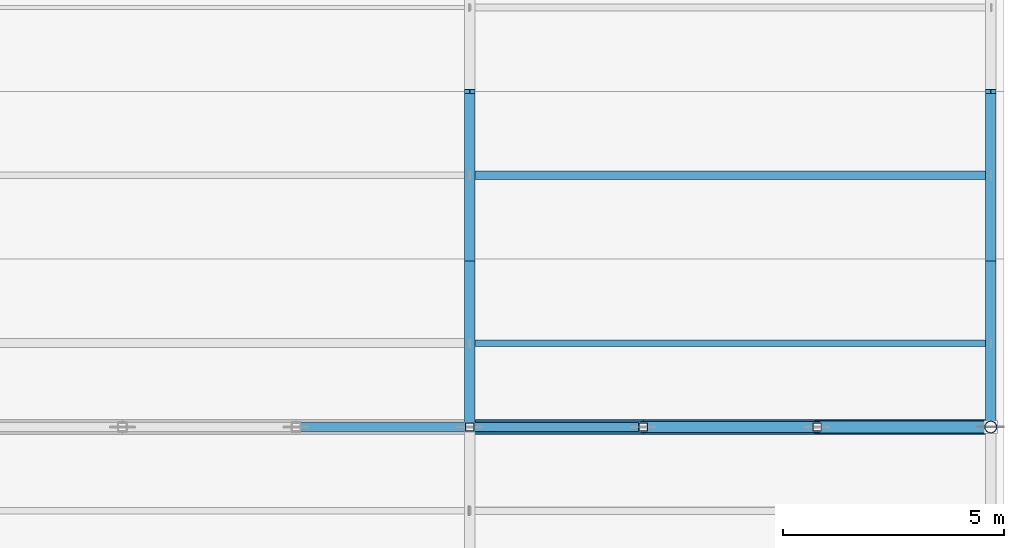
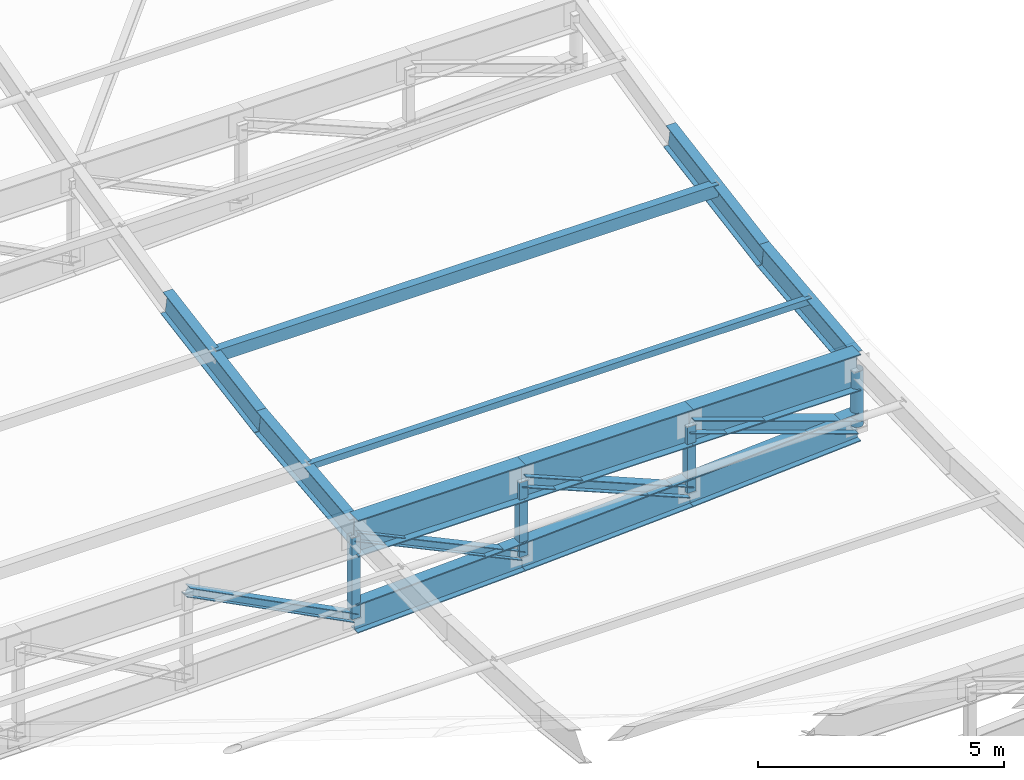
# One storey, part 18 of 65: 14 members, 6 beams.
"""IFC4 building model written with IfcOpenShell, lengths in metres."""

from ifc_helpers import new_model, si_unit, direction, frame, origin, origin_2d, place, context, subcontext, project, spatial, hollow_rectangle, hollow_circle, i_section, extrude, material, material_profile, profile_set, type_object, element, save


model = new_model("IFC4")

# Units and contexts
model_context = context("Model", 3, precision=1e-05, world=origin(), true_north=direction((0.0, 1.0)))
body_context = subcontext(model_context, "Body", "Model", "MODEL_VIEW")
ifc_project = project(units=[si_unit("LENGTHUNIT", "METRE"), si_unit("AREAUNIT", "SQUARE_METRE"), si_unit("VOLUMEUNIT", "CUBIC_METRE"), si_unit("PLANEANGLEUNIT", "RADIAN"), si_unit("MASSUNIT", "GRAM", prefix="KILO"), si_unit("POWERUNIT", "WATT"), si_unit("THERMODYNAMICTEMPERATUREUNIT", "KELVIN")], contexts=[model_context])

# Site, building, storey
site_placement = place(None, origin())
site = spatial("IfcSite", under=ifc_project, at=site_placement, CompositionType="ELEMENT")
building_placement = place(site_placement, origin())
building = spatial("IfcBuilding", under=site, at=building_placement, Name="Kelmbourne Parkland Aquatics Centre", CompositionType="ELEMENT")
storey_placement = place(building_placement, frame((0.0, 0.0, 27.0)))
storey = spatial("IfcBuildingStorey", under=building, at=storey_placement, Name="RF", CompositionType="ELEMENT", Elevation=27.0)

# Members
ifc_material_1 = material(Name="Structural steel AS/NZS 3679.1 Grade 300", Category="steel")
ifc_material_profile_1 = material_profile(ifc_material_1, i_section(OverallWidth=0.306884765625, OverallDepth=0.31494140625, WebThickness=0.011962890625, FlangeThickness=0.018798828125, at=origin_2d()), Name="310UC118")
ifc_profile_set_1 = profile_set([ifc_material_profile_1], Name="Structural steel AS/NZS 3679.1 Grade 300")
member_type_1 = type_object("IfcMemberType", Name="MB-DIAG1", PredefinedType="STRUT", material=ifc_profile_set_1)
member_1_placement = place(storey_placement, frame((171.2666015625, 57.800048828125, -12.883544921875), z_axis=(0.94359966112, 0.0, -0.331088627913), x_axis=(0.0, 1.0, 0.0)))
element("IfcMember", 1, at=member_1_placement, inside=storey, type_object=member_type_1, Name="Roof truss R05 web diagonal 12", PredefinedType="STRUT", context=body_context, shape_type="SweptSolid", body=[
    extrude(i_section(OverallWidth=0.306884765625, OverallDepth=0.31494140625, WebThickness=0.011962890625, FlangeThickness=0.018798828125, at=origin_2d()), origin(), (0.0, 0.0, 1.0), 4.16845703125),
])
ifc_material_profile_2 = material_profile(ifc_material_1, i_section(OverallWidth=0.256103515625, OverallDepth=0.260009765625, WebThickness=0.010498046875, FlangeThickness=0.017333984375, at=origin_2d()), Name="250UC89.5")
ifc_profile_set_2 = profile_set([ifc_material_profile_2], Name="Structural steel AS/NZS 3679.1 Grade 300")
member_type_2 = type_object("IfcMemberType", Name="MB-DIAG2", PredefinedType="STRUT", material=ifc_profile_set_2)
member_2_placement = place(storey_placement, frame((167.333251953125, 57.800048828125, -12.883544921875), z_axis=(0.923014195881, 0.0, -0.384765895322), x_axis=(0.0, 1.0, 0.0)))
element("IfcMember", 2, at=member_2_placement, inside=storey, type_object=member_type_2, Name="Roof truss R05 web diagonal 11", PredefinedType="STRUT", context=body_context, shape_type="SweptSolid", body=[
    extrude(i_section(OverallWidth=0.256103515625, OverallDepth=0.260009765625, WebThickness=0.010498046875, FlangeThickness=0.017333984375, at=origin_2d()), origin(), (0.0, 0.0, 1.0), 4.261474609375),
])
ifc_material_profile_3 = material_profile(ifc_material_1, i_section(OverallWidth=0.205078125, OverallDepth=0.2099609375, WebThickness=0.00927734375, FlangeThickness=0.01416015625, at=origin_2d()), Name="200UC59.5")
ifc_profile_set_3 = profile_set([ifc_material_profile_3], Name="Structural steel AS/NZS 3679.1 Grade 300")
member_type_3 = type_object("IfcMemberType", Name="MB-DIAG3", PredefinedType="STRUT", material=ifc_profile_set_3)
member_3_placement = place(storey_placement, frame((159.466796875, 57.800048828125, -12.883544921875), z_axis=(0.889762254621, 0.0, -0.456424287535), x_axis=(0.0, 1.0, 0.0)))
element("IfcMember", 3, at=member_3_placement, inside=storey, type_object=member_type_3, Name="Roof truss R05 web diagonal 9", PredefinedType="STRUT", context=body_context, shape_type="SweptSolid", body=[
    extrude(i_section(OverallWidth=0.205078125, OverallDepth=0.2099609375, WebThickness=0.00927734375, FlangeThickness=0.01416015625, at=origin_2d()), origin(), (0.0, 0.0, 1.0), 4.42041015625),
])
member_4_placement = place(storey_placement, frame((163.39990234375, 57.800048828125, -12.883544921875), z_axis=(0.904702860314, 0.0, -0.426043113475), x_axis=(0.0, 1.0, 0.0)))
element("IfcMember", 4, at=member_4_placement, inside=storey, type_object=member_type_3, Name="Roof truss R05 web diagonal 10", PredefinedType="STRUT", context=body_context, shape_type="SweptSolid", body=[
    extrude(i_section(OverallWidth=0.205078125, OverallDepth=0.2099609375, WebThickness=0.00927734375, FlangeThickness=0.01416015625, at=origin_2d()), origin(), (0.0, 0.0, 1.0), 4.34765625),
])
ifc_material_profile_4 = material_profile(ifc_material_1, i_section(OverallWidth=0.22900390625, OverallDepth=0.612060546875, WebThickness=0.011962890625, FlangeThickness=0.01953125, at=origin_2d()), Name="610UB125")
ifc_profile_set_4 = profile_set([ifc_material_profile_4], Name="Structural steel AS/NZS 3679.1 Grade 300")
member_type_4 = type_object("IfcMemberType", Name="MB-LRIB", PredefinedType="STRUT", material=ifc_profile_set_4)
member_5_placement = place(storey_placement, frame((163.39990234375, 57.800048828125, -12.763671875), z_axis=(0.0, 0.994394631205, 0.105732291336), x_axis=(-1.0, 0.0, 0.0)))
element("IfcMember", 5, at=member_5_placement, inside=storey, type_object=member_type_4, Name="Longitudinal wave rib K9 strip 16", PredefinedType="STRUT", context=body_context, shape_type="SweptSolid", body=[
    extrude(i_section(OverallWidth=0.22900390625, OverallDepth=0.612060546875, WebThickness=0.011962890625, FlangeThickness=0.01953125, at=origin_2d()), origin(), (0.0, 0.0, 1.0), 3.821533203125),
])
member_6_placement = place(storey_placement, frame((163.39990234375, 61.60009765625, -12.359619140625), z_axis=(0.0, 0.985411823196, 0.170186775941), x_axis=(-1.0, 0.0, 0.0)))
element("IfcMember", 6, at=member_6_placement, inside=storey, type_object=member_type_4, Name="Longitudinal wave rib K9 strip 17", PredefinedType="STRUT", context=body_context, shape_type="SweptSolid", body=[
    extrude(i_section(OverallWidth=0.22900390625, OverallDepth=0.612060546875, WebThickness=0.011962890625, FlangeThickness=0.01953125, at=origin_2d()), origin(), (0.0, 0.0, 1.0), 3.85595703125),
])
member_7_placement = place(storey_placement, frame((175.199951171875, 57.800048828125, -12.763671875), z_axis=(0.0, 0.994394631205, 0.105732291336), x_axis=(-1.0, 0.0, 0.0)))
element("IfcMember", 7, at=member_7_placement, inside=storey, type_object=member_type_4, Name="Longitudinal wave rib K12 strip 16", PredefinedType="STRUT", context=body_context, shape_type="SweptSolid", body=[
    extrude(i_section(OverallWidth=0.22900390625, OverallDepth=0.612060546875, WebThickness=0.011962890625, FlangeThickness=0.01953125, at=origin_2d()), origin(), (0.0, 0.0, 1.0), 3.821533203125),
])
member_8_placement = place(storey_placement, frame((175.199951171875, 61.60009765625, -12.359619140625), z_axis=(0.0, 0.985411823196, 0.170186775941), x_axis=(-1.0, 0.0, 0.0)))
element("IfcMember", 8, at=member_8_placement, inside=storey, type_object=member_type_4, Name="Longitudinal wave rib K12 strip 17", PredefinedType="STRUT", context=body_context, shape_type="SweptSolid", body=[
    extrude(i_section(OverallWidth=0.22900390625, OverallDepth=0.612060546875, WebThickness=0.011962890625, FlangeThickness=0.01953125, at=origin_2d()), origin(), (0.0, 0.0, 1.0), 3.85595703125),
])
ifc_material_2 = material(Name="Cold-formed hollow steel AS/NZS 1163 C350L0", Category="steel")
ifc_material_profile_5 = material_profile(ifc_material_2, hollow_rectangle(XDim=0.199951171875, YDim=0.199951171875, WallThickness=0.010009765625, at=origin_2d()), Name="SHS 200x200x10.0")
ifc_profile_set_5 = profile_set([ifc_material_profile_5], Name="Cold-formed hollow steel AS/NZS 1163 C350L0")
member_type_5 = type_object("IfcMemberType", Name="MB-POST1", PredefinedType="STRUT", material=ifc_profile_set_5)
member_9_placement = place(storey_placement, frame((163.39990234375, 57.800048828125, -14.901123046875), z_axis=(0.0, 0.0, 1.0), x_axis=(1.0, 0.0, 0.0)))
element("IfcMember", 9, at=member_9_placement, inside=storey, type_object=member_type_5, Name="Roof truss R05 vertical post 9", PredefinedType="STRUT", context=body_context, shape_type="SweptSolid", body=[
    extrude(hollow_rectangle(XDim=0.199951171875, YDim=0.199951171875, WallThickness=0.010009765625, at=origin_2d()), origin(), (0.0, 0.0, 1.0), 2.017578125),
])
member_10_placement = place(storey_placement, frame((167.333251953125, 57.800048828125, -14.73583984375), z_axis=(0.0, 0.0, 1.0), x_axis=(1.0, 0.0, 0.0)))
element("IfcMember", 10, at=member_10_placement, inside=storey, type_object=member_type_5, Name="Roof truss R05 vertical post 10", PredefinedType="STRUT", context=body_context, shape_type="SweptSolid", body=[
    extrude(hollow_rectangle(XDim=0.199951171875, YDim=0.199951171875, WallThickness=0.010009765625, at=origin_2d()), origin(), (0.0, 0.0, 1.0), 1.852294921875),
])
member_11_placement = place(storey_placement, frame((171.2666015625, 57.800048828125, -14.523193359375), z_axis=(0.0, 0.0, 1.0), x_axis=(1.0, 0.0, 0.0)))
element("IfcMember", 11, at=member_11_placement, inside=storey, type_object=member_type_5, Name="Roof truss R05 vertical post 11", PredefinedType="STRUT", context=body_context, shape_type="SweptSolid", body=[
    extrude(hollow_rectangle(XDim=0.199951171875, YDim=0.199951171875, WallThickness=0.010009765625, at=origin_2d()), origin(), (0.0, 0.0, 1.0), 1.6396484375),
])
ifc_material_profile_6 = material_profile(ifc_material_2, hollow_circle(Radius=0.136474609375, WallThickness=0.00927734375, at=origin_2d()), Name="CHS 273.1x9.3")
ifc_profile_set_6 = profile_set([ifc_material_profile_6], Name="Cold-formed hollow steel AS/NZS 1163 C350L0")
member_type_6 = type_object("IfcMemberType", Name="MB-POST2", PredefinedType="STRUT", material=ifc_profile_set_6)
member_12_placement = place(storey_placement, frame((175.199951171875, 57.800048828125, -14.263671875), z_axis=(0.0, 0.0, 1.0), x_axis=(1.0, 0.0, 0.0)))
element("IfcMember", 12, at=member_12_placement, inside=storey, type_object=member_type_6, Name="Roof truss R05 vertical post 12", PredefinedType="STRUT", context=body_context, shape_type="SweptSolid", body=[
    extrude(hollow_circle(Radius=0.136474609375, WallThickness=0.00927734375, at=origin_2d()), origin(), (0.0, 0.0, 1.0), 1.380126953125),
])
ifc_material_profile_7 = material_profile(ifc_material_2, hollow_rectangle(XDim=0.199951171875, YDim=0.300048828125, WallThickness=0.010009765625, at=origin_2d()), Name="RHS 300x200x10.0")
ifc_profile_set_7 = profile_set([ifc_material_profile_7], Name="Cold-formed hollow steel AS/NZS 1163 C350L0")
member_type_7 = type_object("IfcMemberType", Name="MB-PUR3", PredefinedType="PURLIN", material=ifc_profile_set_7)
member_13_placement = place(storey_placement, frame((163.39990234375, 63.5, -11.871337890625), z_axis=(1.0, 0.0, 0.0), x_axis=(0.0, 1.0, 0.0)))
element("IfcMember", 13, at=member_13_placement, inside=storey, type_object=member_type_7, Name="Wave roof purlin S17-G4", PredefinedType="PURLIN", context=body_context, shape_type="SweptSolid", body=[
    extrude(hollow_rectangle(XDim=0.199951171875, YDim=0.300048828125, WallThickness=0.010009765625, at=origin_2d()), origin(), (0.0, 0.0, 1.0), 11.800048828125),
])
ifc_material_profile_8 = material_profile(ifc_material_2, hollow_rectangle(XDim=0.14990234375, YDim=0.14990234375, WallThickness=0.009033203125, at=origin_2d()), Name="SHS 150x150x9.0")
ifc_profile_set_8 = profile_set([ifc_material_profile_8], Name="Cold-formed hollow steel AS/NZS 1163 C350L0")
member_type_8 = type_object("IfcMemberType", Name="MB-PUR4", PredefinedType="PURLIN", material=ifc_profile_set_8)
member_14_placement = place(storey_placement, frame((163.39990234375, 59.699951171875, -12.326416015625), z_axis=(1.0, 0.0, 0.0), x_axis=(0.0, 1.0, 0.0)))
element("IfcMember", 14, at=member_14_placement, inside=storey, type_object=member_type_8, Name="Wave roof purlin S16-G4", PredefinedType="PURLIN", context=body_context, shape_type="SweptSolid", body=[
    extrude(hollow_rectangle(XDim=0.14990234375, YDim=0.14990234375, WallThickness=0.009033203125, at=origin_2d()), origin(), (0.0, 0.0, 1.0), 11.800048828125),
])

# Beams
ifc_material_3 = material(Name="Welded plate steel AS/NZS 3678 Grade 350", Category="steel")
ifc_material_profile_9 = material_profile(ifc_material_3, i_section(OverallWidth=0.27490234375, OverallDepth=0.716064453125, WebThickness=0.011962890625, FlangeThickness=0.02490234375, at=origin_2d()), Name="700WB173")
ifc_profile_set_9 = profile_set([ifc_material_profile_9], Name="Welded plate steel AS/NZS 3678 Grade 350")
beam_type_1 = type_object("IfcBeamType", Name="TR-BC1", PredefinedType="BEAM", material=ifc_profile_set_9)
beam_1_placement = place(storey_placement, frame((163.39990234375, 57.800048828125, -14.901123046875), z_axis=(0.999118286144, 0.0, 0.041983928975), x_axis=(0.0, 1.0, 0.0)))
element("IfcBeam", 15, at=beam_1_placement, inside=storey, type_object=beam_type_1, Name="Roof truss R05 bottom chord 10", PredefinedType="BEAM", context=body_context, shape_type="SweptSolid", body=[
    extrude(i_section(OverallWidth=0.27490234375, OverallDepth=0.716064453125, WebThickness=0.011962890625, FlangeThickness=0.02490234375, at=origin_2d()), origin(), (0.0, 0.0, 1.0), 3.936767578125),
])
beam_2_placement = place(storey_placement, frame((167.333251953125, 57.800048828125, -14.73583984375), z_axis=(0.99854182183, 0.0, 0.053983609138), x_axis=(0.0, 1.0, 0.0)))
element("IfcBeam", 16, at=beam_2_placement, inside=storey, type_object=beam_type_1, Name="Roof truss R05 bottom chord 11", PredefinedType="BEAM", context=body_context, shape_type="SweptSolid", body=[
    extrude(i_section(OverallWidth=0.27490234375, OverallDepth=0.716064453125, WebThickness=0.011962890625, FlangeThickness=0.02490234375, at=origin_2d()), origin(), (0.0, 0.0, 1.0), 3.939208984375),
])
beam_3_placement = place(storey_placement, frame((171.2666015625, 57.800048828125, -14.523193359375), z_axis=(0.9978304164, 0.0, 0.065836616761), x_axis=(0.0, 1.0, 0.0)))
element("IfcBeam", 17, at=beam_3_placement, inside=storey, type_object=beam_type_1, Name="Roof truss R05 bottom chord 12", PredefinedType="BEAM", context=body_context, shape_type="SweptSolid", body=[
    extrude(i_section(OverallWidth=0.27490234375, OverallDepth=0.716064453125, WebThickness=0.011962890625, FlangeThickness=0.02490234375, at=origin_2d()), origin(), (0.0, 0.0, 1.0), 3.94189453125),
])
ifc_material_profile_10 = material_profile(ifc_material_3, i_section(OverallWidth=0.35009765625, OverallDepth=0.909912109375, WebThickness=0.011962890625, FlangeThickness=0.02490234375, at=origin_2d()), Name="900WB218")
ifc_profile_set_10 = profile_set([ifc_material_profile_10], Name="Welded plate steel AS/NZS 3678 Grade 350")
beam_type_2 = type_object("IfcBeamType", Name="TR-TC1", PredefinedType="BEAM", material=ifc_profile_set_10)
for number, where, z_axis, x_axis, name in (
    (18, (163.39990234375, 57.800048828125, -12.883544921875), (1.0, 0.0, 0.0), (0.0, 1.0, 0.0), "Roof truss R05 top chord 10"),
    (19, (167.333251953125, 57.800048828125, -12.883544921875), (1.0, 0.0, 0.0), (0.0, 1.0, 0.0), "Roof truss R05 top chord 11"),
    (20, (171.2666015625, 57.800048828125, -12.883544921875), (1.0, 0.0, 0.0), (0.0, 1.0, 0.0), "Roof truss R05 top chord 12"),
):
    element("IfcBeam", number, at=place(storey_placement, frame(where, z_axis=z_axis, x_axis=x_axis)), inside=storey, type_object=beam_type_2, Name=name, PredefinedType="BEAM", context=body_context, shape_type="SweptSolid", body=[
        extrude(i_section(OverallWidth=0.35009765625, OverallDepth=0.909912109375, WebThickness=0.011962890625, FlangeThickness=0.02490234375, at=origin_2d()), origin(), (0.0, 0.0, 1.0), 3.933349609375),
    ])

save(model, "model.ifc")
